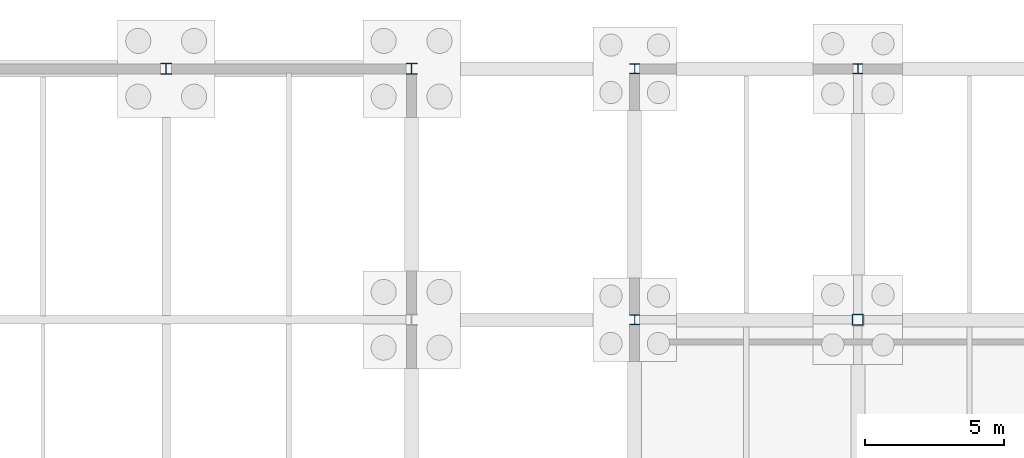
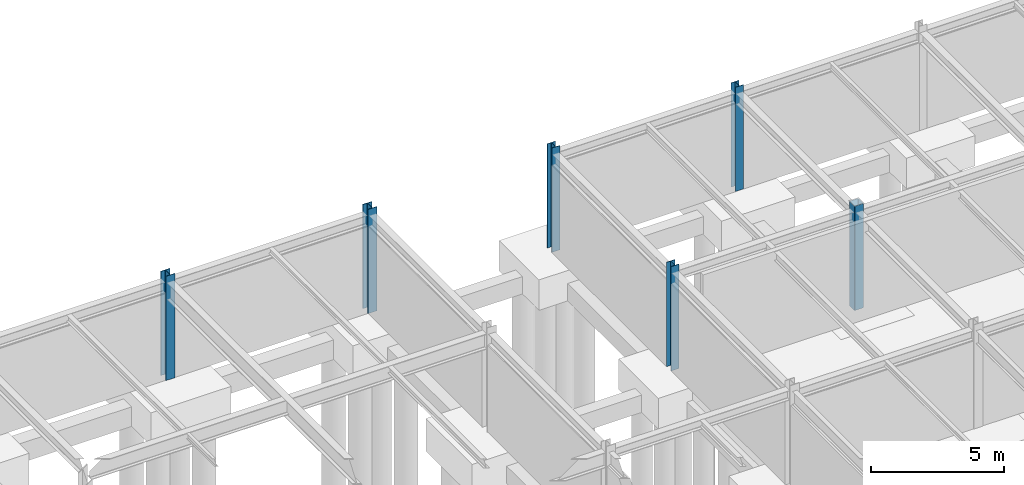
# One storey, part 24 of 72: 6 columns.
"""IFC4 building model written with IfcOpenShell, lengths in metres."""

from ifc_helpers import new_model, si_unit, direction, frame, origin, origin_2d, place, context, subcontext, project, spatial, hollow_rectangle, i_section, extrude, material, material_profile, profile_set, type_object, element, save


model = new_model("IFC4")

# Units and contexts
model_context = context("Model", 3, precision=1e-05, world=origin(), true_north=direction((0.0, 1.0)))
body_context = subcontext(model_context, "Body", "Model", "MODEL_VIEW")
ifc_project = project(units=[si_unit("LENGTHUNIT", "METRE"), si_unit("AREAUNIT", "SQUARE_METRE"), si_unit("VOLUMEUNIT", "CUBIC_METRE"), si_unit("PLANEANGLEUNIT", "RADIAN"), si_unit("MASSUNIT", "GRAM", prefix="KILO")], contexts=[model_context])

# Site, building, storey
site_placement = place(None, origin())
site = spatial("IfcSite", under=ifc_project, at=site_placement, CompositionType="ELEMENT")
building_placement = place(site_placement, origin())
building = spatial("IfcBuilding", under=site, at=building_placement, Name="Zhaolan Boulevard Law Courts", CompositionType="ELEMENT")
storey_placement = place(building_placement, frame((0.0, 0.0, -4.800048828125)))
storey = spatial("IfcBuildingStorey", under=building, at=storey_placement, Name="B1", CompositionType="ELEMENT", Elevation=-4.800048828125)

# Columns
ifc_material_1 = material(Name="Structural steel Q355B", Category="steel")
ifc_material_profile_1 = material_profile(ifc_material_1, hollow_rectangle(XDim=0.39990234375, YDim=0.39990234375, WallThickness=0.01611328125, InnerFilletRadius=0.01611328125, OuterFilletRadius=0.031982421875, at=origin_2d()), Name="BOX400x400x16")
ifc_profile_set_1 = profile_set([ifc_material_profile_1], Name="Structural steel Q355B")
column_type_1 = type_object("IfcColumnType", Name="COL BOX400", PredefinedType="COLUMN", material=ifc_profile_set_1)
column_placement = place(storey_placement, frame((60.0, 103.0, 0.0), z_axis=(0.0, 0.0, 1.0), x_axis=(1.0, 0.0, 0.0)))
element("IfcColumn", 1, at=column_placement, inside=storey, type_object=column_type_1, Name="Column C-8P (B1)", PredefinedType="COLUMN", context=body_context, shape_type="SweptSolid", body=[
    extrude(hollow_rectangle(XDim=0.39990234375, YDim=0.39990234375, WallThickness=0.01611328125, InnerFilletRadius=0.01611328125, OuterFilletRadius=0.031982421875, at=origin_2d()), origin(), (0.0, 0.0, 1.0), 4.800048828125),
])
ifc_material_2 = material(Name="Structural steel Q355B", Category="steel")
ifc_material_profile_2 = material_profile(ifc_material_2, i_section(OverallWidth=0.35009765625, OverallDepth=0.35009765625, WebThickness=0.011962890625, FlangeThickness=0.01904296875, FilletRadius=0.02001953125, at=origin_2d()), Name="HW350x350")
ifc_profile_set_2 = profile_set([ifc_material_profile_2], Name="Structural steel Q355B")
column_type_2 = type_object("IfcColumnType", Name="COL HW350", PredefinedType="COLUMN", material=ifc_profile_set_2)
for number, where, z_axis, x_axis, name in (
    (2, (52.0, 103.0, 0.0), (0.0, 0.0, 1.0), (1.0, 0.0, 0.0), "Column C-7P (B1)"),
    (3, (52.0, 112.0, 0.0), (0.0, 0.0, 1.0), (1.0, 0.0, 0.0), "Column C-7Q (B1)"),
    (4, (60.0, 112.0, 0.0), (0.0, 0.0, 1.0), (1.0, 0.0, 0.0), "Column C-8Q (B1)"),
):
    element("IfcColumn", number, at=place(storey_placement, frame(where, z_axis=z_axis, x_axis=x_axis)), inside=storey, type_object=column_type_2, Name=name, PredefinedType="COLUMN", context=body_context, shape_type="SweptSolid", body=[
        extrude(i_section(OverallWidth=0.35009765625, OverallDepth=0.35009765625, WebThickness=0.011962890625, FlangeThickness=0.01904296875, FilletRadius=0.02001953125, at=origin_2d()), origin(), (0.0, 0.0, 1.0), 4.800048828125),
    ])
ifc_material_3 = material(Name="Structural steel Q390B", Category="steel")
ifc_material_profile_3 = material_profile(ifc_material_3, i_section(OverallWidth=0.39990234375, OverallDepth=0.39990234375, WebThickness=0.012939453125, FlangeThickness=0.02099609375, FilletRadius=0.02197265625, at=origin_2d()), Name="HW400x400")
ifc_profile_set_3 = profile_set([ifc_material_profile_3], Name="Structural steel Q390B")
column_type_3 = type_object("IfcColumnType", Name="COL HW400", PredefinedType="COLUMN", material=ifc_profile_set_3)
for number, where, z_axis, x_axis, name in (
    (5, (35.199951171875, 112.0, 0.0), (0.0, 0.0, 1.0), (1.0, 0.0, 0.0), "Column C-5Q (B1)"),
    (6, (44.0, 112.0, 0.0), (0.0, 0.0, 1.0), (1.0, 0.0, 0.0), "Column C-6Q (B1)"),
):
    element("IfcColumn", number, at=place(storey_placement, frame(where, z_axis=z_axis, x_axis=x_axis)), inside=storey, type_object=column_type_3, Name=name, PredefinedType="COLUMN", context=body_context, shape_type="SweptSolid", body=[
        extrude(i_section(OverallWidth=0.39990234375, OverallDepth=0.39990234375, WebThickness=0.012939453125, FlangeThickness=0.02099609375, FilletRadius=0.02197265625, at=origin_2d()), origin(), (0.0, 0.0, 1.0), 4.800048828125),
    ])

save(model, "model.ifc")
